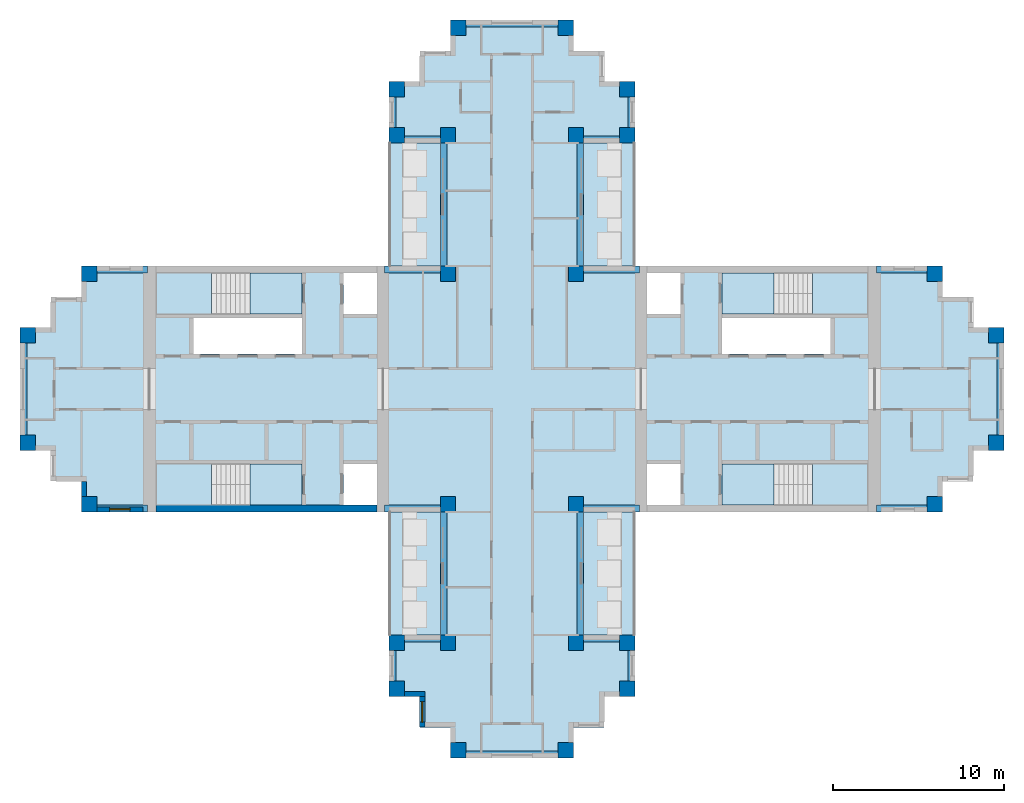
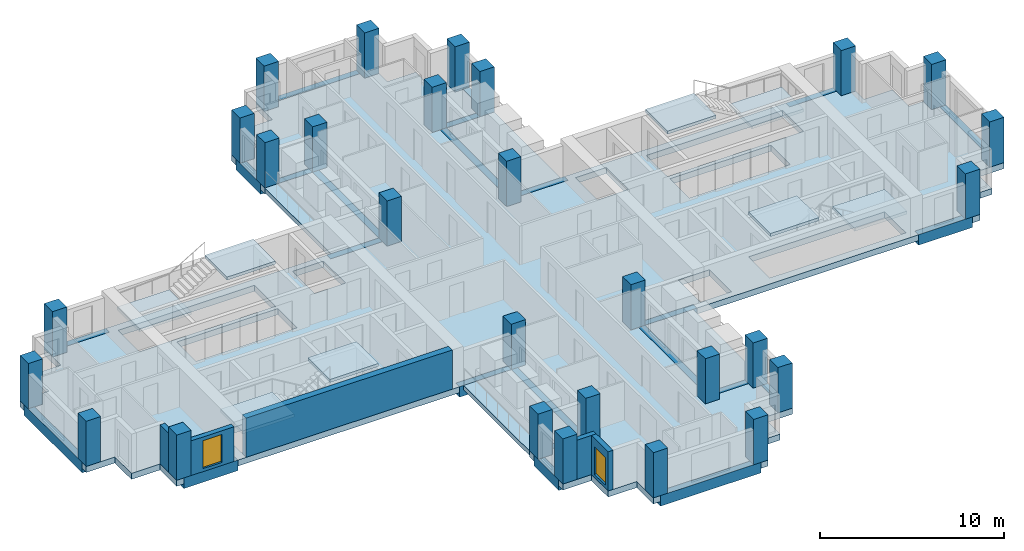
# One storey, part 1 of 10: 28 columns, 24 beams, 13 slabs, 5 walls, 2 windows, 2 openings, 4 elements without a shape of their own.
"""IFC4 building model written with IfcOpenShell, lengths in metres."""

from ifc_helpers import new_model, si_unit, direction, frame, frame_2d, origin, origin_2d, place, context, subcontext, project, spatial, polyline, rectangle, outline, extrude, material, layer, layer_set, material_profile, profile_set, type_object, element, fill, aggregate, save


model = new_model("IFC4")

# Units and contexts
model_context = context("Model", 3, precision=1e-05, world=origin(), true_north=direction((0.0, 1.0)))
body_context = subcontext(model_context, "Body", "Model", "MODEL_VIEW")
ifc_project = project(units=[si_unit("LENGTHUNIT", "METRE"), si_unit("AREAUNIT", "SQUARE_METRE"), si_unit("VOLUMEUNIT", "CUBIC_METRE"), si_unit("PLANEANGLEUNIT", "RADIAN"), si_unit("MASSUNIT", "GRAM", prefix="KILO")], contexts=[model_context])

# Site, building, storey
site_placement = place(None, origin())
site = spatial("IfcSite", under=ifc_project, at=site_placement, CompositionType="ELEMENT")
building_placement = place(site_placement, origin())
building = spatial("IfcBuilding", under=site, at=building_placement, Name="Fustian Cross Tower", CompositionType="ELEMENT")
storey_placement = place(building_placement, frame((0.0, 0.0, 213.89990234375)))
storey = spatial("IfcBuildingStorey", under=building, at=storey_placement, Name="L67", CompositionType="ELEMENT", Elevation=213.89990234375)

# Columns
ifc_material_1 = material(Name="Concrete C40/50", Category="concrete")
ifc_material_profile_1 = material_profile(ifc_material_1, rectangle(XDim=0.89990234375, YDim=0.89990234375, at=origin_2d()), Name="RC 900x900")
ifc_profile_set_1 = profile_set([ifc_material_profile_1], Name="Concrete C40/50")
column_type = type_object("IfcColumnType", Name="COLUMN RC 900x900 C40/50", PredefinedType="COLUMN", material=ifc_profile_set_1)
for number, where, z_axis, x_axis, name in (
    (1, (-28.35009765625, -3.14990234375, 0.0), (0.0, 0.0, 1.0), (1.0, 0.0, 0.0), "COLUMN 008"),
    (2, (-28.35009765625, 3.14990234375, 0.0), (0.0, 0.0, 1.0), (1.0, 0.0, 0.0), "COLUMN 009"),
    (3, (-24.75, -6.75, 0.0), (0.0, 0.0, 1.0), (1.0, 0.0, 0.0), "COLUMN 011"),
    (4, (-24.75, 6.75, 0.0), (0.0, 0.0, 1.0), (1.0, 0.0, 0.0), "COLUMN 012"),
    (5, (-6.75, -17.550048828125, 0.0), (0.0, 0.0, 1.0), (1.0, 0.0, 0.0), "COLUMN 017"),
    (6, (-6.75, -14.85009765625, 0.0), (0.0, 0.0, 1.0), (1.0, 0.0, 0.0), "COLUMN 018"),
    (7, (-6.75, 14.85009765625, 0.0), (0.0, 0.0, 1.0), (1.0, 0.0, 0.0), "COLUMN 019"),
    (8, (-6.75, 17.550048828125, 0.0), (0.0, 0.0, 1.0), (1.0, 0.0, 0.0), "COLUMN 020"),
    (9, (-3.75, -14.85009765625, 0.0), (0.0, 0.0, 1.0), (1.0, 0.0, 0.0), "COLUMN 025"),
    (10, (-3.75, -6.75, 0.0), (0.0, 0.0, 1.0), (1.0, 0.0, 0.0), "COLUMN 026"),
    (11, (-3.75, 6.75, 0.0), (0.0, 0.0, 1.0), (1.0, 0.0, 0.0), "COLUMN 027"),
    (12, (-3.75, 14.85009765625, 0.0), (0.0, 0.0, 1.0), (1.0, 0.0, 0.0), "COLUMN 028"),
    (13, (-3.14990234375, -21.14990234375, 0.0), (0.0, 0.0, 1.0), (1.0, 0.0, 0.0), "COLUMN 030"),
    (14, (-3.14990234375, 21.14990234375, 0.0), (0.0, 0.0, 1.0), (1.0, 0.0, 0.0), "COLUMN 031"),
    (15, (3.14990234375, -21.14990234375, 0.0), (0.0, 0.0, 1.0), (1.0, 0.0, 0.0), "COLUMN 034"),
    (16, (3.14990234375, 21.14990234375, 0.0), (0.0, 0.0, 1.0), (1.0, 0.0, 0.0), "COLUMN 035"),
    (17, (3.75, -14.85009765625, 0.0), (0.0, 0.0, 1.0), (1.0, 0.0, 0.0), "COLUMN 037"),
    (18, (3.75, -6.75, 0.0), (0.0, 0.0, 1.0), (1.0, 0.0, 0.0), "COLUMN 038"),
    (19, (3.75, 6.75, 0.0), (0.0, 0.0, 1.0), (1.0, 0.0, 0.0), "COLUMN 039"),
    (20, (3.75, 14.85009765625, 0.0), (0.0, 0.0, 1.0), (1.0, 0.0, 0.0), "COLUMN 040"),
    (21, (6.75, -17.550048828125, 0.0), (0.0, 0.0, 1.0), (1.0, 0.0, 0.0), "COLUMN 045"),
    (22, (6.75, -14.85009765625, 0.0), (0.0, 0.0, 1.0), (1.0, 0.0, 0.0), "COLUMN 046"),
    (23, (6.75, 14.85009765625, 0.0), (0.0, 0.0, 1.0), (1.0, 0.0, 0.0), "COLUMN 047"),
    (24, (6.75, 17.550048828125, 0.0), (0.0, 0.0, 1.0), (1.0, 0.0, 0.0), "COLUMN 048"),
    (25, (24.75, -6.75, 0.0), (0.0, 0.0, 1.0), (1.0, 0.0, 0.0), "COLUMN 053"),
    (26, (24.75, 6.75, 0.0), (0.0, 0.0, 1.0), (1.0, 0.0, 0.0), "COLUMN 054"),
    (27, (28.35009765625, -3.14990234375, 0.0), (0.0, 0.0, 1.0), (1.0, 0.0, 0.0), "COLUMN 056"),
    (28, (28.35009765625, 3.14990234375, 0.0), (0.0, 0.0, 1.0), (1.0, 0.0, 0.0), "COLUMN 057"),
):
    element("IfcColumn", number, at=place(storey_placement, frame(where, z_axis=z_axis, x_axis=x_axis)), inside=storey, type_object=column_type, Name=name, PredefinedType="COLUMN", context=body_context, shape_type="SweptSolid", body=[
        extrude(rectangle(XDim=0.89990234375, YDim=0.89990234375, at=origin_2d()), origin(), (0.0, 0.0, 1.0), 3.0),
    ])

# Beams
ifc_material_2 = material(Name="Concrete C50/60", Category="concrete")
ifc_material_profile_2 = material_profile(ifc_material_2, rectangle(XDim=0.39990234375, YDim=0.699951171875, at=origin_2d()), Name="RC 400x700")
ifc_profile_set_2 = profile_set([ifc_material_profile_2], Name="Concrete C50/60")
beam_type = type_object("IfcBeamType", Name="EDGE BEAM RC 400x700 C50/60", PredefinedType="SPANDREL", material=ifc_profile_set_2)
beam_1_placement = place(storey_placement, frame((21.35009765625, -7.0, -0.349853515625), z_axis=(1.0, 0.0, 0.0), x_axis=(0.0, 1.0, 0.0)))
element("IfcBeam", 29, at=beam_1_placement, inside=storey, type_object=beam_type, Name="EDGE BEAM L67-01", PredefinedType="SPANDREL", context=body_context, shape_type="SweptSolid", body=[
    extrude(rectangle(XDim=0.39990234375, YDim=0.699951171875, at=origin_2d()), origin(), (0.0, 0.0, 1.0), 3.39990234375),
])
beam_2_placement = place(storey_placement, frame((28.60009765625, -3.14990234375, -0.349853515625), z_axis=(0.0, 1.0, 0.0), x_axis=(-1.0, 0.0, 0.0)))
element("IfcBeam", 30, at=beam_2_placement, inside=storey, type_object=beam_type, Name="EDGE BEAM L67-02", PredefinedType="SPANDREL", context=body_context, shape_type="SweptSolid", body=[
    extrude(rectangle(XDim=0.39990234375, YDim=0.699951171875, at=origin_2d()), origin(), (0.0, 0.0, 1.0), 6.2998046875),
])
beam_3_placement = place(storey_placement, frame((24.75, 7.0, -0.349853515625), z_axis=(-1.0, 0.0, 0.0), x_axis=(0.0, -1.0, 0.0)))
element("IfcBeam", 31, at=beam_3_placement, inside=storey, type_object=beam_type, Name="EDGE BEAM L67-03", PredefinedType="SPANDREL", context=body_context, shape_type="SweptSolid", body=[
    extrude(rectangle(XDim=0.39990234375, YDim=0.699951171875, at=origin_2d()), origin(), (0.0, 0.0, 1.0), 3.39990234375),
])
beam_4_placement = place(storey_placement, frame((7.449951171875, 7.0, -0.349853515625), z_axis=(-1.0, 0.0, 0.0), x_axis=(0.0, -1.0, 0.0)))
element("IfcBeam", 32, at=beam_4_placement, inside=storey, type_object=beam_type, Name="EDGE BEAM L67-04", PredefinedType="SPANDREL", context=body_context, shape_type="SweptSolid", body=[
    extrude(rectangle(XDim=0.39990234375, YDim=0.699951171875, at=origin_2d()), origin(), (0.0, 0.0, 1.0), 3.699951171875),
])
beam_5_placement = place(storey_placement, frame((4.0, 6.75, -0.349853515625), z_axis=(0.0, 1.0, 0.0), x_axis=(-1.0, 0.0, 0.0)))
element("IfcBeam", 33, at=beam_5_placement, inside=storey, type_object=beam_type, Name="EDGE BEAM L67-05", PredefinedType="SPANDREL", context=body_context, shape_type="SweptSolid", body=[
    extrude(rectangle(XDim=0.39990234375, YDim=0.699951171875, at=origin_2d()), origin(), (0.0, 0.0, 1.0), 8.10009765625),
])
beam_6_placement = place(storey_placement, frame((3.75, 14.60009765625, -0.349853515625), z_axis=(1.0, 0.0, 0.0), x_axis=(0.0, 1.0, 0.0)))
element("IfcBeam", 34, at=beam_6_placement, inside=storey, type_object=beam_type, Name="EDGE BEAM L67-06", PredefinedType="SPANDREL", context=body_context, shape_type="SweptSolid", body=[
    extrude(rectangle(XDim=0.39990234375, YDim=0.699951171875, at=origin_2d()), origin(), (0.0, 0.0, 1.0), 3.0),
])
beam_7_placement = place(storey_placement, frame((7.0, 14.85009765625, -0.349853515625), z_axis=(0.0, 1.0, 0.0), x_axis=(-1.0, 0.0, 0.0)))
element("IfcBeam", 35, at=beam_7_placement, inside=storey, type_object=beam_type, Name="EDGE BEAM L67-07", PredefinedType="SPANDREL", context=body_context, shape_type="SweptSolid", body=[
    extrude(rectangle(XDim=0.39990234375, YDim=0.699951171875, at=origin_2d()), origin(), (0.0, 0.0, 1.0), 2.699951171875),
])
beam_8_placement = place(storey_placement, frame((3.14990234375, 21.39990234375, -0.349853515625), z_axis=(-1.0, 0.0, 0.0), x_axis=(0.0, -1.0, 0.0)))
element("IfcBeam", 36, at=beam_8_placement, inside=storey, type_object=beam_type, Name="EDGE BEAM L67-08", PredefinedType="SPANDREL", context=body_context, shape_type="SweptSolid", body=[
    extrude(rectangle(XDim=0.39990234375, YDim=0.699951171875, at=origin_2d()), origin(), (0.0, 0.0, 1.0), 6.2998046875),
])
beam_9_placement = place(storey_placement, frame((-7.0, 17.550048828125, -0.349853515625), z_axis=(0.0, -1.0, 0.0), x_axis=(1.0, 0.0, 0.0)))
element("IfcBeam", 37, at=beam_9_placement, inside=storey, type_object=beam_type, Name="EDGE BEAM L67-09", PredefinedType="SPANDREL", context=body_context, shape_type="SweptSolid", body=[
    extrude(rectangle(XDim=0.39990234375, YDim=0.699951171875, at=origin_2d()), origin(), (0.0, 0.0, 1.0), 2.699951171875),
])
beam_10_placement = place(storey_placement, frame((-6.75, 14.60009765625, -0.349853515625), z_axis=(1.0, 0.0, 0.0), x_axis=(0.0, 1.0, 0.0)))
element("IfcBeam", 38, at=beam_10_placement, inside=storey, type_object=beam_type, Name="EDGE BEAM L67-10", PredefinedType="SPANDREL", context=body_context, shape_type="SweptSolid", body=[
    extrude(rectangle(XDim=0.39990234375, YDim=0.699951171875, at=origin_2d()), origin(), (0.0, 0.0, 1.0), 3.0),
])
beam_11_placement = place(storey_placement, frame((-4.0, 14.85009765625, -0.349853515625), z_axis=(0.0, -1.0, 0.0), x_axis=(1.0, 0.0, 0.0)))
element("IfcBeam", 39, at=beam_11_placement, inside=storey, type_object=beam_type, Name="EDGE BEAM L67-11", PredefinedType="SPANDREL", context=body_context, shape_type="SweptSolid", body=[
    extrude(rectangle(XDim=0.39990234375, YDim=0.699951171875, at=origin_2d()), origin(), (0.0, 0.0, 1.0), 8.10009765625),
])
beam_12_placement = place(storey_placement, frame((-3.75, 7.0, -0.349853515625), z_axis=(-1.0, 0.0, 0.0), x_axis=(0.0, -1.0, 0.0)))
element("IfcBeam", 40, at=beam_12_placement, inside=storey, type_object=beam_type, Name="EDGE BEAM L67-12", PredefinedType="SPANDREL", context=body_context, shape_type="SweptSolid", body=[
    extrude(rectangle(XDim=0.39990234375, YDim=0.699951171875, at=origin_2d()), origin(), (0.0, 0.0, 1.0), 3.699951171875),
])
beam_13_placement = place(storey_placement, frame((-21.35009765625, 7.0, -0.349853515625), z_axis=(-1.0, 0.0, 0.0), x_axis=(0.0, -1.0, 0.0)))
element("IfcBeam", 41, at=beam_13_placement, inside=storey, type_object=beam_type, Name="EDGE BEAM L67-13", PredefinedType="SPANDREL", context=body_context, shape_type="SweptSolid", body=[
    extrude(rectangle(XDim=0.39990234375, YDim=0.699951171875, at=origin_2d()), origin(), (0.0, 0.0, 1.0), 3.39990234375),
])
beam_14_placement = place(storey_placement, frame((-28.60009765625, 3.14990234375, -0.349853515625), z_axis=(0.0, -1.0, 0.0), x_axis=(1.0, 0.0, 0.0)))
element("IfcBeam", 42, at=beam_14_placement, inside=storey, type_object=beam_type, Name="EDGE BEAM L67-14", PredefinedType="SPANDREL", context=body_context, shape_type="SweptSolid", body=[
    extrude(rectangle(XDim=0.39990234375, YDim=0.699951171875, at=origin_2d()), origin(), (0.0, 0.0, 1.0), 6.2998046875),
])
beam_15_placement = place(storey_placement, frame((-24.75, -7.0, -0.349853515625), z_axis=(1.0, 0.0, 0.0), x_axis=(0.0, 1.0, 0.0)))
element("IfcBeam", 43, at=beam_15_placement, inside=storey, type_object=beam_type, Name="EDGE BEAM L67-15", PredefinedType="SPANDREL", context=body_context, shape_type="SweptSolid", body=[
    extrude(rectangle(XDim=0.39990234375, YDim=0.699951171875, at=origin_2d()), origin(), (0.0, 0.0, 1.0), 3.39990234375),
])
beam_16_placement = place(storey_placement, frame((-7.449951171875, -7.0, -0.349853515625), z_axis=(1.0, 0.0, 0.0), x_axis=(0.0, 1.0, 0.0)))
element("IfcBeam", 44, at=beam_16_placement, inside=storey, type_object=beam_type, Name="EDGE BEAM L67-16", PredefinedType="SPANDREL", context=body_context, shape_type="SweptSolid", body=[
    extrude(rectangle(XDim=0.39990234375, YDim=0.699951171875, at=origin_2d()), origin(), (0.0, 0.0, 1.0), 3.699951171875),
])
beam_17_placement = place(storey_placement, frame((-4.0, -6.75, -0.349853515625), z_axis=(0.0, -1.0, 0.0), x_axis=(1.0, 0.0, 0.0)))
element("IfcBeam", 45, at=beam_17_placement, inside=storey, type_object=beam_type, Name="EDGE BEAM L67-17", PredefinedType="SPANDREL", context=body_context, shape_type="SweptSolid", body=[
    extrude(rectangle(XDim=0.39990234375, YDim=0.699951171875, at=origin_2d()), origin(), (0.0, 0.0, 1.0), 8.10009765625),
])
beam_18_placement = place(storey_placement, frame((-3.75, -14.60009765625, -0.349853515625), z_axis=(-1.0, 0.0, 0.0), x_axis=(0.0, -1.0, 0.0)))
element("IfcBeam", 46, at=beam_18_placement, inside=storey, type_object=beam_type, Name="EDGE BEAM L67-18", PredefinedType="SPANDREL", context=body_context, shape_type="SweptSolid", body=[
    extrude(rectangle(XDim=0.39990234375, YDim=0.699951171875, at=origin_2d()), origin(), (0.0, 0.0, 1.0), 3.0),
])
beam_19_placement = place(storey_placement, frame((-7.0, -14.85009765625, -0.349853515625), z_axis=(0.0, -1.0, 0.0), x_axis=(1.0, 0.0, 0.0)))
element("IfcBeam", 47, at=beam_19_placement, inside=storey, type_object=beam_type, Name="EDGE BEAM L67-19", PredefinedType="SPANDREL", context=body_context, shape_type="SweptSolid", body=[
    extrude(rectangle(XDim=0.39990234375, YDim=0.699951171875, at=origin_2d()), origin(), (0.0, 0.0, 1.0), 2.699951171875),
])
beam_20_placement = place(storey_placement, frame((-3.14990234375, -21.39990234375, -0.349853515625), z_axis=(1.0, 0.0, 0.0), x_axis=(0.0, 1.0, 0.0)))
element("IfcBeam", 48, at=beam_20_placement, inside=storey, type_object=beam_type, Name="EDGE BEAM L67-20", PredefinedType="SPANDREL", context=body_context, shape_type="SweptSolid", body=[
    extrude(rectangle(XDim=0.39990234375, YDim=0.699951171875, at=origin_2d()), origin(), (0.0, 0.0, 1.0), 6.2998046875),
])
beam_21_placement = place(storey_placement, frame((7.0, -17.550048828125, -0.349853515625), z_axis=(0.0, 1.0, 0.0), x_axis=(-1.0, 0.0, 0.0)))
element("IfcBeam", 49, at=beam_21_placement, inside=storey, type_object=beam_type, Name="EDGE BEAM L67-21", PredefinedType="SPANDREL", context=body_context, shape_type="SweptSolid", body=[
    extrude(rectangle(XDim=0.39990234375, YDim=0.699951171875, at=origin_2d()), origin(), (0.0, 0.0, 1.0), 2.699951171875),
])
beam_22_placement = place(storey_placement, frame((6.75, -14.60009765625, -0.349853515625), z_axis=(-1.0, 0.0, 0.0), x_axis=(0.0, -1.0, 0.0)))
element("IfcBeam", 50, at=beam_22_placement, inside=storey, type_object=beam_type, Name="EDGE BEAM L67-22", PredefinedType="SPANDREL", context=body_context, shape_type="SweptSolid", body=[
    extrude(rectangle(XDim=0.39990234375, YDim=0.699951171875, at=origin_2d()), origin(), (0.0, 0.0, 1.0), 3.0),
])
beam_23_placement = place(storey_placement, frame((4.0, -14.85009765625, -0.349853515625), z_axis=(0.0, 1.0, 0.0), x_axis=(-1.0, 0.0, 0.0)))
element("IfcBeam", 51, at=beam_23_placement, inside=storey, type_object=beam_type, Name="EDGE BEAM L67-23", PredefinedType="SPANDREL", context=body_context, shape_type="SweptSolid", body=[
    extrude(rectangle(XDim=0.39990234375, YDim=0.699951171875, at=origin_2d()), origin(), (0.0, 0.0, 1.0), 8.10009765625),
])
beam_24_placement = place(storey_placement, frame((3.75, -7.0, -0.349853515625), z_axis=(1.0, 0.0, 0.0), x_axis=(0.0, 1.0, 0.0)))
element("IfcBeam", 52, at=beam_24_placement, inside=storey, type_object=beam_type, Name="EDGE BEAM L67-24", PredefinedType="SPANDREL", context=body_context, shape_type="SweptSolid", body=[
    extrude(rectangle(XDim=0.39990234375, YDim=0.699951171875, at=origin_2d()), origin(), (0.0, 0.0, 1.0), 3.699951171875),
])

# Slabs
ifc_material_3 = material(Name="Concrete C40/50", Category="concrete")
ifc_layer_1 = layer(ifc_material_3, 0.300048828125)
ifc_layer_set_1 = layer_set([ifc_layer_1], Name="Concrete C40/50")
slab_type_1 = type_object("IfcSlabType", Name="BS1 BALCONY SLAB 300", PredefinedType="FLOOR", material=ifc_layer_set_1)
slab_1_placement = place(storey_placement, frame((0.0, 0.0, -0.2998046875)))
element("IfcSlab", 53, at=slab_1_placement, inside=storey, type_object=slab_type_1, Name="Balcony slab", PredefinedType="FLOOR", context=body_context, shape_type="SweptSolid", body=[
    extrude(outline(polyline([(4.199951171875, 7.199951171875), (7.199951171875, 7.199951171875), (7.199951171875, 14.39990234375), (4.199951171875, 14.39990234375), (4.199951171875, 7.199951171875)])), origin(), (0.0, 0.0, 1.0), 0.2998046875),
])
slab_2_placement = place(storey_placement, frame((0.0, 0.0, -0.2998046875)))
element("IfcSlab", 54, at=slab_2_placement, inside=storey, type_object=slab_type_1, Name="Balcony slab", PredefinedType="FLOOR", context=body_context, shape_type="SweptSolid", body=[
    extrude(outline(polyline([(-7.199951171875, 7.199951171875), (-4.199951171875, 7.199951171875), (-4.199951171875, 14.39990234375), (-7.199951171875, 14.39990234375), (-7.199951171875, 7.199951171875)])), origin(), (0.0, 0.0, 1.0), 0.2998046875),
])
slab_3_placement = place(storey_placement, frame((0.0, 0.0, -0.2998046875)))
element("IfcSlab", 55, at=slab_3_placement, inside=storey, type_object=slab_type_1, Name="Balcony slab", PredefinedType="FLOOR", context=body_context, shape_type="SweptSolid", body=[
    extrude(outline(polyline([(4.199951171875, -14.39990234375), (7.199951171875, -14.39990234375), (7.199951171875, -7.199951171875), (4.199951171875, -7.199951171875), (4.199951171875, -14.39990234375)])), origin(), (0.0, 0.0, 1.0), 0.2998046875),
])
slab_4_placement = place(storey_placement, frame((0.0, 0.0, -0.2998046875)))
element("IfcSlab", 56, at=slab_4_placement, inside=storey, type_object=slab_type_1, Name="Balcony slab", PredefinedType="FLOOR", context=body_context, shape_type="SweptSolid", body=[
    extrude(outline(polyline([(-7.199951171875, -14.39990234375), (-4.199951171875, -14.39990234375), (-4.199951171875, -7.199951171875), (-7.199951171875, -7.199951171875), (-7.199951171875, -14.39990234375)])), origin(), (0.0, 0.0, 1.0), 0.2998046875),
])
ifc_material_4 = material(Name="Concrete C40/50", Category="concrete")
ifc_layer_2 = layer(ifc_material_4, 0.39990234375)
ifc_layer_set_2 = layer_set([ifc_layer_2], Name="Concrete C40/50")
slab_type_2 = type_object("IfcSlabType", Name="FLAT SLAB 400", PredefinedType="FLOOR", material=ifc_layer_set_2)
slab_5_placement = place(storey_placement, frame((0.0, 0.0, -0.39990234375)))
element("IfcSlab", 57, at=slab_5_placement, inside=storey, type_object=slab_type_2, Name="FLOOR SLAB L67-1", PredefinedType="FLOOR", context=body_context, shape_type="SweptSolid", body=[
    extrude(outline(polyline([(-3.60009765625, -19.800048828125), (-5.39990234375, -19.800048828125), (-5.39990234375, -18.0), (-7.199951171875, -18.0), (-7.199951171875, -14.39990234375), (-4.199951171875, -14.39990234375), (-4.199951171875, -7.199951171875), (-25.199951171875, -7.199951171875), (-25.199951171875, -5.39990234375), (-27.0, -5.39990234375), (-27.0, -3.60009765625), (-28.800048828125, -3.60009765625), (-28.800048828125, 3.60009765625), (-27.0, 3.60009765625), (-27.0, 5.39990234375), (-25.199951171875, 5.39990234375), (-25.199951171875, 7.199951171875), (-4.199951171875, 7.199951171875), (-4.199951171875, 14.39990234375), (-7.199951171875, 14.39990234375), (-7.199951171875, 18.0), (-5.39990234375, 18.0), (-5.39990234375, 19.800048828125), (-3.60009765625, 19.800048828125), (-3.60009765625, 21.60009765625), (3.60009765625, 21.60009765625), (3.60009765625, 19.800048828125), (5.39990234375, 19.800048828125), (5.39990234375, 18.0), (7.199951171875, 18.0), (7.199951171875, 14.39990234375), (4.199951171875, 14.39990234375), (4.199951171875, 7.199951171875), (25.199951171875, 7.199951171875), (25.199951171875, 5.39990234375), (27.0, 5.39990234375), (27.0, 3.60009765625), (28.800048828125, 3.60009765625), (28.800048828125, -3.60009765625), (27.0, -3.60009765625), (27.0, -5.39990234375), (25.199951171875, -5.39990234375), (25.199951171875, -7.199951171875), (4.199951171875, -7.199951171875), (4.199951171875, -14.39990234375), (7.199951171875, -14.39990234375), (7.199951171875, -18.0), (5.39990234375, -18.0), (5.39990234375, -19.800048828125), (3.60009765625, -19.800048828125), (3.60009765625, -21.60009765625), (-3.60009765625, -21.60009765625), (-3.60009765625, -19.800048828125)]), holes=[polyline([(7.89990234375, 6.800048828125), (7.89990234375, 4.39990234375), (9.85009765625, 4.39990234375), (9.85009765625, 6.800048828125), (7.89990234375, 6.800048828125)]), polyline([(9.85009765625, -4.39990234375), (7.89990234375, -4.39990234375), (7.89990234375, -6.800048828125), (9.85009765625, -6.800048828125), (9.85009765625, -4.39990234375)]), polyline([(-7.89990234375, 4.39990234375), (-7.89990234375, 6.800048828125), (-9.85009765625, 6.800048828125), (-9.85009765625, 4.39990234375), (-7.89990234375, 4.39990234375)]), polyline([(-9.85009765625, -6.800048828125), (-7.89990234375, -6.800048828125), (-7.89990234375, -4.39990234375), (-9.85009765625, -4.39990234375), (-9.85009765625, -6.800048828125)]), polyline([(12.300048828125, 4.14990234375), (12.300048828125, 2.050048828125), (18.64990234375, 2.050048828125), (18.64990234375, 4.14990234375), (12.300048828125, 4.14990234375)]), polyline([(-12.300048828125, 4.14990234375), (-18.64990234375, 4.14990234375), (-18.64990234375, 2.050048828125), (-12.300048828125, 2.050048828125), (-12.300048828125, 4.14990234375)]), polyline([(20.85009765625, 4.39990234375), (20.85009765625, 6.699951171875), (12.300048828125, 6.699951171875), (12.300048828125, 4.39990234375), (20.85009765625, 4.39990234375)]), polyline([(12.300048828125, -6.699951171875), (20.85009765625, -6.699951171875), (20.85009765625, -4.39990234375), (12.300048828125, -4.39990234375), (12.300048828125, -6.699951171875)]), polyline([(-20.85009765625, 6.699951171875), (-20.85009765625, 4.39990234375), (-12.300048828125, 4.39990234375), (-12.300048828125, 6.699951171875), (-20.85009765625, 6.699951171875)]), polyline([(-12.300048828125, -4.39990234375), (-20.85009765625, -4.39990234375), (-20.85009765625, -6.699951171875), (-12.300048828125, -6.699951171875), (-12.300048828125, -4.39990234375)])]), origin(), (0.0, 0.0, 1.0), 0.39990234375),
])

# Stair, slabs
ifc_material_5 = material(Name="Concrete C50/60", Category="concrete")
stair_type = type_object("IfcStairType", Name="STAIR 1200 HALF TURN", PredefinedType="HALF_TURN_STAIR", material=ifc_material_5)
stair_1_placement = place(storey_placement, origin())
stair_1 = element("IfcStair", 58, at=stair_1_placement, inside=storey, type_object=stair_type, Name="Stair ST1", PredefinedType="HALF_TURN_STAIR")
ifc_material_6 = material(Name="Concrete C50/60", Category="concrete")
ifc_layer_3 = layer(ifc_material_6, 0.199951171875)
ifc_layer_set_3 = layer_set([ifc_layer_3], Name="Concrete C50/60")
slab_type_3 = type_object("IfcSlabType", Name="STAIR LANDING", PredefinedType="LANDING", material=ifc_layer_set_3)
slab_6_placement = place(storey_placement, frame((0.0, 0.0, 1.300048828125)))
slab_6 = element("IfcSlab", 59, at=slab_6_placement, type_object=slab_type_3, Name="ST1 landing 1", PredefinedType="LANDING", context=body_context, shape_type="SweptSolid", body=[
    extrude(outline(polyline([(17.590087890625, 4.39990234375), (20.85009765625, 4.39990234375), (20.85009765625, 6.800048828125), (17.590087890625, 6.800048828125), (17.590087890625, 4.39990234375)])), origin(), (0.0, 0.0, 1.0), 0.199951171875),
])
slab_7_placement = place(storey_placement, frame((0.0, 0.0, 2.800048828125)))
slab_7 = element("IfcSlab", 60, at=slab_7_placement, type_object=slab_type_3, Name="ST1 landing 2", PredefinedType="LANDING", context=body_context, shape_type="SweptSolid", body=[
    extrude(outline(polyline([(12.300048828125, 4.39990234375), (15.35009765625, 4.39990234375), (15.35009765625, 6.800048828125), (12.300048828125, 6.800048828125), (12.300048828125, 4.39990234375)])), origin(), (0.0, 0.0, 1.0), 0.199951171875),
])
aggregate(stair_1, [slab_6, slab_7])

stair_2_placement = place(storey_placement, origin())
stair_2 = element("IfcStair", 61, at=stair_2_placement, inside=storey, type_object=stair_type, Name="Stair ST2", PredefinedType="HALF_TURN_STAIR")
slab_8_placement = place(storey_placement, frame((0.0, 0.0, 1.300048828125)))
slab_8 = element("IfcSlab", 62, at=slab_8_placement, type_object=slab_type_3, Name="ST2 landing 1", PredefinedType="LANDING", context=body_context, shape_type="SweptSolid", body=[
    extrude(outline(polyline([(17.590087890625, -4.39990234375), (20.85009765625, -4.39990234375), (20.85009765625, -6.800048828125), (17.590087890625, -6.800048828125), (17.590087890625, -4.39990234375)])), origin(), (0.0, 0.0, 1.0), 0.199951171875),
])
slab_9_placement = place(storey_placement, frame((0.0, 0.0, 2.800048828125)))
slab_9 = element("IfcSlab", 63, at=slab_9_placement, type_object=slab_type_3, Name="ST2 landing 2", PredefinedType="LANDING", context=body_context, shape_type="SweptSolid", body=[
    extrude(outline(polyline([(12.300048828125, -4.39990234375), (15.35009765625, -4.39990234375), (15.35009765625, -6.800048828125), (12.300048828125, -6.800048828125), (12.300048828125, -4.39990234375)])), origin(), (0.0, 0.0, 1.0), 0.199951171875),
])
aggregate(stair_2, [slab_8, slab_9])

stair_3_placement = place(storey_placement, origin())
stair_3 = element("IfcStair", 64, at=stair_3_placement, inside=storey, type_object=stair_type, Name="Stair ST3", PredefinedType="HALF_TURN_STAIR")
slab_10_placement = place(storey_placement, frame((0.0, 0.0, 1.300048828125)))
slab_10 = element("IfcSlab", 65, at=slab_10_placement, type_object=slab_type_3, Name="ST3 landing 1", PredefinedType="LANDING", context=body_context, shape_type="SweptSolid", body=[
    extrude(outline(polyline([(-17.590087890625, 4.39990234375), (-20.85009765625, 4.39990234375), (-20.85009765625, 6.800048828125), (-17.590087890625, 6.800048828125), (-17.590087890625, 4.39990234375)])), origin(), (0.0, 0.0, 1.0), 0.199951171875),
])
slab_11_placement = place(storey_placement, frame((0.0, 0.0, 2.800048828125)))
slab_11 = element("IfcSlab", 66, at=slab_11_placement, type_object=slab_type_3, Name="ST3 landing 2", PredefinedType="LANDING", context=body_context, shape_type="SweptSolid", body=[
    extrude(outline(polyline([(-12.300048828125, 4.39990234375), (-15.35009765625, 4.39990234375), (-15.35009765625, 6.800048828125), (-12.300048828125, 6.800048828125), (-12.300048828125, 4.39990234375)])), origin(), (0.0, 0.0, 1.0), 0.199951171875),
])
aggregate(stair_3, [slab_10, slab_11])

stair_4_placement = place(storey_placement, origin())
stair_4 = element("IfcStair", 67, at=stair_4_placement, inside=storey, type_object=stair_type, Name="Stair ST4", PredefinedType="HALF_TURN_STAIR")
slab_12_placement = place(storey_placement, frame((0.0, 0.0, 1.300048828125)))
slab_12 = element("IfcSlab", 68, at=slab_12_placement, type_object=slab_type_3, Name="ST4 landing 1", PredefinedType="LANDING", context=body_context, shape_type="SweptSolid", body=[
    extrude(outline(polyline([(-17.590087890625, -4.39990234375), (-20.85009765625, -4.39990234375), (-20.85009765625, -6.800048828125), (-17.590087890625, -6.800048828125), (-17.590087890625, -4.39990234375)])), origin(), (0.0, 0.0, 1.0), 0.199951171875),
])
slab_13_placement = place(storey_placement, frame((0.0, 0.0, 2.800048828125)))
slab_13 = element("IfcSlab", 69, at=slab_13_placement, type_object=slab_type_3, Name="ST4 landing 2", PredefinedType="LANDING", context=body_context, shape_type="SweptSolid", body=[
    extrude(outline(polyline([(-12.300048828125, -4.39990234375), (-15.35009765625, -4.39990234375), (-15.35009765625, -6.800048828125), (-12.300048828125, -6.800048828125), (-12.300048828125, -4.39990234375)])), origin(), (0.0, 0.0, 1.0), 0.199951171875),
])
aggregate(stair_4, [slab_12, slab_13])

# Walls
ifc_material_7 = material(Name="Concrete C50/60", Category="concrete")
ifc_layer_4 = layer(ifc_material_7, 0.39990234375)
ifc_layer_set_4 = layer_set([ifc_layer_4], Name="Concrete C50/60")
wall_type_1 = type_object("IfcWallType", Name="CORE FACADE WALL 400 C50/60", PredefinedType="SHEAR", material=ifc_layer_set_4)
wall_1_placement = place(storey_placement, frame((-7.89990234375, -7.0, 0.0), z_axis=(0.0, 0.0, 1.0), x_axis=(-1.0, 0.0, 0.0)))
element("IfcWall", 70, at=wall_1_placement, inside=storey, type_object=wall_type_1, Name="Core facade wall", PredefinedType="SHEAR", context=body_context, shape_type="SweptSolid", body=[
    extrude(rectangle(XDim=12.9501953125, YDim=0.39990234375, at=frame_2d((6.47509765625, 0.0))), origin(), (0.0, 0.0, 1.0), 2.60009765625),
])
ifc_material_8 = material(Name="Dark aluminium cladding on insulated backing wall", Category="aluminium")
ifc_layer_5 = layer(ifc_material_8, 0.300048828125)
ifc_layer_set_5 = layer_set([ifc_layer_5], Name="Dark aluminium cladding on insulated backing wall")
wall_type_2 = type_object("IfcWallType", Name="XW1 EXTERNAL WALL 300", PredefinedType="SOLIDWALL", material=ifc_layer_set_5)
wall_2_placement = place(storey_placement, frame((-25.050048828125, -5.39990234375, 0.0), z_axis=(0.0, 0.0, 1.0), x_axis=(0.0, -1.0, 0.0)))
element("IfcWall", 71, at=wall_2_placement, inside=storey, type_object=wall_type_2, Name="External wall", PredefinedType="SOLIDWALL", context=body_context, shape_type="SweptSolid", body=[
    extrude(rectangle(XDim=0.900146484375, YDim=0.300048828125, at=frame_2d((0.4501953125, 0.0))), origin(), (0.0, 0.0, 1.0), 2.60009765625),
])

# Wall, opening, window
wall_3_placement = place(storey_placement, frame((-24.300048828125, -7.050048828125, 0.0), z_axis=(0.0, 0.0, 1.0), x_axis=(1.0, 0.0, 0.0)))
wall_3 = element("IfcWall", 72, at=wall_3_placement, inside=storey, type_object=wall_type_2, Name="External wall", PredefinedType="SOLIDWALL", context=body_context, shape_type="SweptSolid", body=[
    extrude(rectangle(XDim=2.699951171875, YDim=0.300048828125, at=frame_2d((1.35009765625, 0.0))), origin(), (0.0, 0.0, 1.0), 2.300048828125),
])
opening_1_placement = place(wall_3_placement, frame((0.75, 0.0, 0.199951171875)))
opening_1 = element("IfcOpeningElement", 73, at=opening_1_placement, cuts=wall_3, Name="Opening WN3", PredefinedType="OPENING", context=body_context, shape_type="SweptSolid", body=[
    extrude(rectangle(XDim=1.199951171875, YDim=1.85009765625, at=frame_2d((0.60009765625, 0.925048828125))), frame((0.0, 0.159912109375, 0.0), z_axis=(0.0, -1.0, 0.0), x_axis=(1.0, 0.0, 0.0)), (0.0, 0.0, 1.0), 0.320068359375),
])
ifc_material_9 = material(Name="Dark anodised aluminium and double glazing", Category="aluminium")
window_type = type_object("IfcWindowType", Name="WN3 WINDOW 1200X1850", PartitioningType="SINGLE_PANEL", PredefinedType="WINDOW", material=ifc_material_9)
window_1_placement = place(opening_1_placement, origin())
window_1 = element("IfcWindow", 74, at=window_1_placement, inside=storey, type_object=window_type, Name="Window", OverallHeight=1.85009765625, OverallWidth=1.199951171875, PartitioningType="SINGLE_PANEL", PredefinedType="WINDOW", context=body_context, shape_type="SweptSolid", body=[
    extrude(rectangle(XDim=1.199951171875, YDim=1.85009765625, at=frame_2d((0.60009765625, 0.925048828125))), frame((0.0, 0.030029296875, 0.0), z_axis=(0.0, -1.0, 0.0), x_axis=(1.0, 0.0, 0.0)), (0.0, 0.0, 1.0), 0.06005859375),
])
fill(opening_1, window_1)

# Wall
wall_4_placement = place(storey_placement, frame((-6.300048828125, -17.85009765625, 0.0), z_axis=(0.0, 0.0, 1.0), x_axis=(1.0, 0.0, 0.0)))
element("IfcWall", 75, at=wall_4_placement, inside=storey, type_object=wall_type_2, Name="External wall", PredefinedType="SOLIDWALL", context=body_context, shape_type="SweptSolid", body=[
    extrude(rectangle(XDim=1.199951171875, YDim=0.300048828125, at=frame_2d((0.60009765625, 0.0))), origin(), (0.0, 0.0, 1.0), 2.60009765625),
])

# Wall, opening, window
wall_5_placement = place(storey_placement, frame((-5.25, -18.0, 0.0), z_axis=(0.0, 0.0, 1.0), x_axis=(0.0, -1.0, 0.0)))
wall_5 = element("IfcWall", 76, at=wall_5_placement, inside=storey, type_object=wall_type_2, Name="External wall", PredefinedType="SOLIDWALL", context=body_context, shape_type="SweptSolid", body=[
    extrude(rectangle(XDim=1.800048828125, YDim=0.300048828125, at=frame_2d((0.89990234375, 0.0))), origin(), (0.0, 0.0, 1.0), 2.60009765625),
])
opening_2_placement = place(wall_5_placement, frame((0.300048828125, 0.0, 0.199951171875)))
opening_2 = element("IfcOpeningElement", 77, at=opening_2_placement, cuts=wall_5, Name="Opening WN3", PredefinedType="OPENING", context=body_context, shape_type="SweptSolid", body=[
    extrude(rectangle(XDim=1.199951171875, YDim=1.85009765625, at=frame_2d((0.60009765625, 0.925048828125))), frame((0.0, 0.159912109375, 0.0), z_axis=(0.0, -1.0, 0.0), x_axis=(1.0, 0.0, 0.0)), (0.0, 0.0, 1.0), 0.320068359375),
])
window_2_placement = place(opening_2_placement, origin())
window_2 = element("IfcWindow", 78, at=window_2_placement, inside=storey, type_object=window_type, Name="Window", OverallHeight=1.85009765625, OverallWidth=1.199951171875, PartitioningType="SINGLE_PANEL", PredefinedType="WINDOW", context=body_context, shape_type="SweptSolid", body=[
    extrude(rectangle(XDim=1.199951171875, YDim=1.85009765625, at=frame_2d((0.60009765625, 0.925048828125))), frame((0.0, 0.030029296875, 0.0), z_axis=(0.0, -1.0, 0.0), x_axis=(1.0, 0.0, 0.0)), (0.0, 0.0, 1.0), 0.06005859375),
])
fill(opening_2, window_2)

save(model, "model.ifc")
